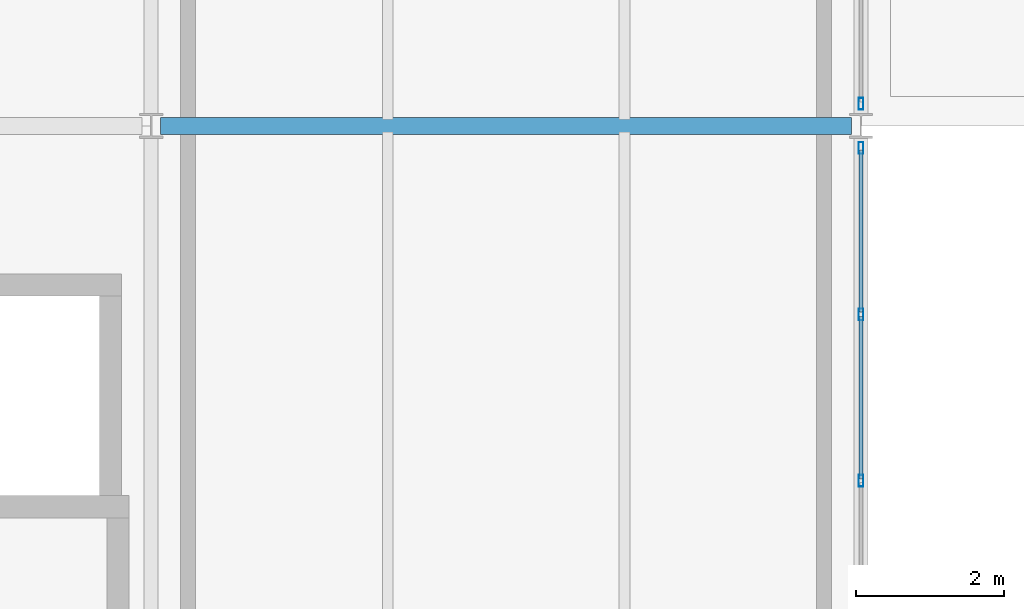
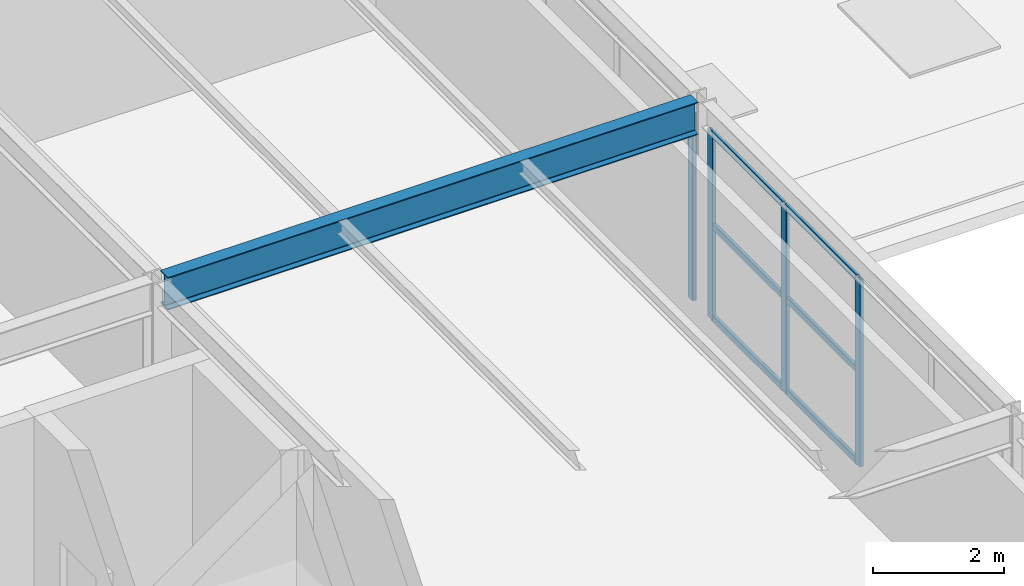
# One storey, part 35 of 126: 10 members, 1 beam, 2 elements without a shape of their own.
"""IFC4 building model written with IfcOpenShell, lengths in metres."""

from ifc_helpers import new_model, si_unit, direction, frame, origin, origin_2d, place, context, subcontext, project, spatial, hollow_rectangle, i_section, extrude, material, material_profile, profile_set, type_object, element, aggregate, save


model = new_model("IFC4")

# Units and contexts
model_context = context("Model", 3, precision=1e-05, world=origin(), true_north=direction((0.0, 1.0)))
body_context = subcontext(model_context, "Body", "Model", "MODEL_VIEW")
ifc_project = project(units=[si_unit("LENGTHUNIT", "METRE"), si_unit("AREAUNIT", "SQUARE_METRE"), si_unit("VOLUMEUNIT", "CUBIC_METRE"), si_unit("PLANEANGLEUNIT", "RADIAN"), si_unit("MASSUNIT", "GRAM", prefix="KILO")], contexts=[model_context])

# Site, building, storey
site_placement = place(None, origin())
site = spatial("IfcSite", under=ifc_project, at=site_placement, CompositionType="ELEMENT")
building_placement = place(site_placement, origin())
building = spatial("IfcBuilding", under=site, at=building_placement, Name="Coralgate Yard Interchange", CompositionType="ELEMENT")
storey_placement = place(building_placement, frame((0.0, 0.0, 10.5)))
storey = spatial("IfcBuildingStorey", under=building, at=storey_placement, Name="L02", CompositionType="ELEMENT", Elevation=10.5)

# Beam
ifc_material_1 = material(Name="Structural steel S355J2", Category="steel")
ifc_material_profile_1 = material_profile(ifc_material_1, i_section(OverallWidth=0.228271484375, OverallDepth=0.607666015625, WebThickness=0.010986328125, FlangeThickness=0.017333984375, FilletRadius=0.0126953125, at=origin_2d()), Name="UB 610x229x113")
ifc_profile_set_1 = profile_set([ifc_material_profile_1], Name="Structural steel S355J2")
beam_type = type_object("IfcBeamType", Name="BM-SG-5", PredefinedType="BEAM", material=ifc_profile_set_1)
beam_placement = place(storey_placement, frame((19.3271484375, 38.39990234375, 3.646240234375), z_axis=(1.0, 0.0, 0.0), x_axis=(0.0, 1.0, 0.0)))
element("IfcBeam", 1, at=beam_placement, inside=storey, type_object=beam_type, Name="L02 primary grid beam Y4 X2-3", PredefinedType="BEAM", context=body_context, shape_type="SweptSolid", body=[
    extrude(i_section(OverallWidth=0.228271484375, OverallDepth=0.607666015625, WebThickness=0.010986328125, FlangeThickness=0.017333984375, FilletRadius=0.0126953125, at=origin_2d()), origin(), (0.0, 0.0, 1.0), 9.345458984375),
])

# Curtain wall, members
ifc_material_2 = material(Name="Anodised coastal aluminium and solar-control low-E glass", Category="aluminium")
curtain_wall_type = type_object("IfcCurtainWallType", Name="CW-CW-L02-A", PredefinedType="NOTDEFINED", material=ifc_material_2)
curtain_wall_1_placement = place(storey_placement, origin())
curtain_wall_1 = element("IfcCurtainWall", 2, at=curtain_wall_1_placement, inside=storey, type_object=curtain_wall_type, Name="L02 unitised curtain wall CW-L02-E-02-03", PredefinedType="NOTDEFINED")
ifc_material_3 = material(Name="Anodised coastal aluminium 6063-T6", Category="aluminium")
ifc_material_profile_2 = material_profile(ifc_material_3, hollow_rectangle(XDim=0.06494140625, YDim=0.159912109375, WallThickness=0.00390625, InnerFilletRadius=0.00390625, OuterFilletRadius=0.008056640625, at=origin_2d()), Name="ALU 65x160x4")
ifc_profile_set_2 = profile_set([ifc_material_profile_2], Name="Anodised coastal aluminium 6063-T6")
member_type_1 = type_object("IfcMemberType", Name="MB-MUL-160", PredefinedType="MULLION", material=ifc_profile_set_2)
member_1_placement = place(storey_placement, frame((28.800048828125, 38.10009765625, 0.0), z_axis=(0.0, 0.0, 1.0), x_axis=(1.0, 0.0, 0.0)))
member_1 = element("IfcMember", 3, at=member_1_placement, type_object=member_type_1, Name="CW-L02-E-02-03 vertical mullion 1", PredefinedType="MULLION", context=body_context, shape_type="SweptSolid", body=[
    extrude(hollow_rectangle(XDim=0.06494140625, YDim=0.159912109375, WallThickness=0.00390625, InnerFilletRadius=0.00390625, OuterFilletRadius=0.008056640625, at=origin_2d()), origin(), (0.0, 0.0, 1.0), 3.492919921875),
])
member_2_placement = place(storey_placement, frame((28.800048828125, 35.85009765625, 0.0), z_axis=(0.0, 0.0, 1.0), x_axis=(1.0, 0.0, 0.0)))
member_2 = element("IfcMember", 4, at=member_2_placement, type_object=member_type_1, Name="CW-L02-E-02-03 vertical mullion 2", PredefinedType="MULLION", context=body_context, shape_type="SweptSolid", body=[
    extrude(hollow_rectangle(XDim=0.06494140625, YDim=0.159912109375, WallThickness=0.00390625, InnerFilletRadius=0.00390625, OuterFilletRadius=0.008056640625, at=origin_2d()), origin(), (0.0, 0.0, 1.0), 3.492919921875),
])
member_3_placement = place(storey_placement, frame((28.800048828125, 33.60009765625, 0.0), z_axis=(0.0, 0.0, 1.0), x_axis=(1.0, 0.0, 0.0)))
member_3 = element("IfcMember", 5, at=member_3_placement, type_object=member_type_1, Name="CW-L02-E-02-03 vertical mullion 3", PredefinedType="MULLION", context=body_context, shape_type="SweptSolid", body=[
    extrude(hollow_rectangle(XDim=0.06494140625, YDim=0.159912109375, WallThickness=0.00390625, InnerFilletRadius=0.00390625, OuterFilletRadius=0.008056640625, at=origin_2d()), origin(), (0.0, 0.0, 1.0), 3.492919921875),
])

# Curtain wall, member
curtain_wall_2_placement = place(storey_placement, origin())
curtain_wall_2 = element("IfcCurtainWall", 6, at=curtain_wall_2_placement, inside=storey, type_object=curtain_wall_type, Name="L02 unitised curtain wall CW-L02-E-02-04", PredefinedType="NOTDEFINED")
member_4_placement = place(storey_placement, frame((28.800048828125, 38.699951171875, 0.0), z_axis=(0.0, 0.0, 1.0), x_axis=(1.0, 0.0, 0.0)))
member_4 = element("IfcMember", 7, at=member_4_placement, type_object=member_type_1, Name="CW-L02-E-02-04 vertical mullion 5", PredefinedType="MULLION", context=body_context, shape_type="SweptSolid", body=[
    extrude(hollow_rectangle(XDim=0.06494140625, YDim=0.159912109375, WallThickness=0.00390625, InnerFilletRadius=0.00390625, OuterFilletRadius=0.008056640625, at=origin_2d()), origin(), (0.0, 0.0, 1.0), 3.492919921875),
])
aggregate(curtain_wall_2, [member_4])

# Member
ifc_material_profile_3 = material_profile(ifc_material_3, hollow_rectangle(XDim=0.06005859375, YDim=0.1201171875, WallThickness=0.00341796875, InnerFilletRadius=0.00341796875, OuterFilletRadius=0.007080078125, at=origin_2d()), Name="ALU 60x120x3.5")
ifc_profile_set_3 = profile_set([ifc_material_profile_3], Name="Anodised coastal aluminium 6063-T6")
member_type_2 = type_object("IfcMemberType", Name="MB-TRN-120", PredefinedType="USERDEFINED", material=ifc_profile_set_3)
member_5_placement = place(storey_placement, frame((28.800048828125, 38.070068359375, 0.034912109375), z_axis=(0.0, -1.0, 0.0), x_axis=(1.0, 0.0, 0.0)))
member_5 = element("IfcMember", 8, at=member_5_placement, type_object=member_type_2, Name="CW-L02-E-02-03 horizontal transom 1-1", ObjectType="TRANSOM", PredefinedType="USERDEFINED", context=body_context, shape_type="SweptSolid", body=[
    extrude(hollow_rectangle(XDim=0.06005859375, YDim=0.1201171875, WallThickness=0.00341796875, InnerFilletRadius=0.00341796875, OuterFilletRadius=0.007080078125, at=origin_2d()), origin(), (0.0, 0.0, 1.0), 2.190185546875),
])

member_6_placement = place(storey_placement, frame((28.800048828125, 38.070068359375, 1.74658203125), z_axis=(0.0, -1.0, 0.0), x_axis=(1.0, 0.0, 0.0)))
member_6 = element("IfcMember", 9, at=member_6_placement, type_object=member_type_2, Name="CW-L02-E-02-03 horizontal transom 1-2", ObjectType="TRANSOM", PredefinedType="USERDEFINED", context=body_context, shape_type="SweptSolid", body=[
    extrude(hollow_rectangle(XDim=0.06005859375, YDim=0.1201171875, WallThickness=0.00341796875, InnerFilletRadius=0.00341796875, OuterFilletRadius=0.007080078125, at=origin_2d()), origin(), (0.0, 0.0, 1.0), 2.190185546875),
])

member_7_placement = place(storey_placement, frame((28.800048828125, 38.070068359375, 3.4580078125), z_axis=(0.0, -1.0, 0.0), x_axis=(1.0, 0.0, 0.0)))
member_7 = element("IfcMember", 10, at=member_7_placement, type_object=member_type_2, Name="CW-L02-E-02-03 horizontal transom 1-3", ObjectType="TRANSOM", PredefinedType="USERDEFINED", context=body_context, shape_type="SweptSolid", body=[
    extrude(hollow_rectangle(XDim=0.06005859375, YDim=0.1201171875, WallThickness=0.00341796875, InnerFilletRadius=0.00341796875, OuterFilletRadius=0.007080078125, at=origin_2d()), origin(), (0.0, 0.0, 1.0), 2.190185546875),
])

member_8_placement = place(storey_placement, frame((28.800048828125, 35.820068359375, 0.034912109375), z_axis=(0.0, -1.0, 0.0), x_axis=(1.0, 0.0, 0.0)))
member_8 = element("IfcMember", 11, at=member_8_placement, type_object=member_type_2, Name="CW-L02-E-02-03 horizontal transom 2-1", ObjectType="TRANSOM", PredefinedType="USERDEFINED", context=body_context, shape_type="SweptSolid", body=[
    extrude(hollow_rectangle(XDim=0.06005859375, YDim=0.1201171875, WallThickness=0.00341796875, InnerFilletRadius=0.00341796875, OuterFilletRadius=0.007080078125, at=origin_2d()), origin(), (0.0, 0.0, 1.0), 2.190185546875),
])

member_9_placement = place(storey_placement, frame((28.800048828125, 35.820068359375, 1.74658203125), z_axis=(0.0, -1.0, 0.0), x_axis=(1.0, 0.0, 0.0)))
member_9 = element("IfcMember", 12, at=member_9_placement, type_object=member_type_2, Name="CW-L02-E-02-03 horizontal transom 2-2", ObjectType="TRANSOM", PredefinedType="USERDEFINED", context=body_context, shape_type="SweptSolid", body=[
    extrude(hollow_rectangle(XDim=0.06005859375, YDim=0.1201171875, WallThickness=0.00341796875, InnerFilletRadius=0.00341796875, OuterFilletRadius=0.007080078125, at=origin_2d()), origin(), (0.0, 0.0, 1.0), 2.190185546875),
])

member_10_placement = place(storey_placement, frame((28.800048828125, 35.820068359375, 3.4580078125), z_axis=(0.0, -1.0, 0.0), x_axis=(1.0, 0.0, 0.0)))
member_10 = element("IfcMember", 13, at=member_10_placement, type_object=member_type_2, Name="CW-L02-E-02-03 horizontal transom 2-3", ObjectType="TRANSOM", PredefinedType="USERDEFINED", context=body_context, shape_type="SweptSolid", body=[
    extrude(hollow_rectangle(XDim=0.06005859375, YDim=0.1201171875, WallThickness=0.00341796875, InnerFilletRadius=0.00341796875, OuterFilletRadius=0.007080078125, at=origin_2d()), origin(), (0.0, 0.0, 1.0), 2.190185546875),
])

aggregate(curtain_wall_1, [member_1, member_2, member_3, member_5, member_6, member_7, member_8, member_9, member_10])

save(model, "model.ifc")
